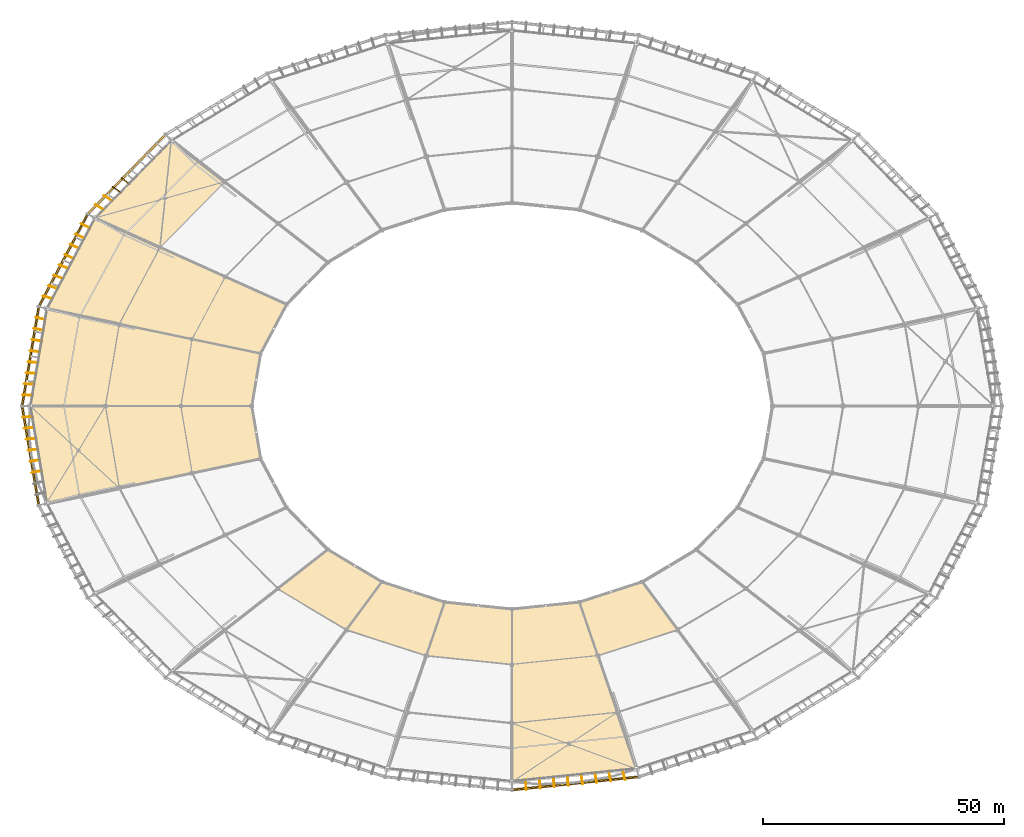
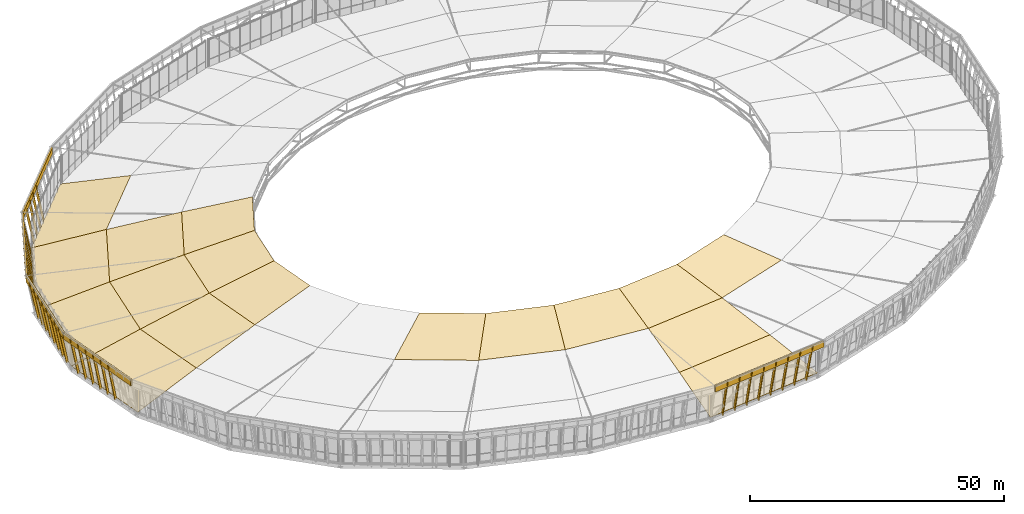
# One storey, part 112 of 115: 34 shading devices, 22 coverings, 4 elements without a shape of their own.
"""IFC4 building model written with IfcOpenShell, lengths in metres."""

from ifc_helpers import new_model, si_unit, direction, frame, origin, origin_2d, place, context, subcontext, project, spatial, polyline, rectangle, outline, extrude, material, layer, layer_set, material_profile, profile_set, type_object, element, aggregate, save


model = new_model("IFC4")

# Units and contexts
model_context = context("Model", 3, precision=1e-05, world=origin(), true_north=direction((0.0, 1.0)))
body_context = subcontext(model_context, "Body", "Model", "MODEL_VIEW")
ifc_project = project(units=[si_unit("LENGTHUNIT", "METRE"), si_unit("AREAUNIT", "SQUARE_METRE"), si_unit("VOLUMEUNIT", "CUBIC_METRE"), si_unit("PLANEANGLEUNIT", "RADIAN"), si_unit("MASSUNIT", "GRAM", prefix="KILO")], contexts=[model_context])

# Site, building, storey
site_placement = place(None, origin())
site = spatial("IfcSite", under=ifc_project, at=site_placement, CompositionType="ELEMENT")
building_placement = place(site_placement, origin())
building = spatial("IfcBuilding", under=site, at=building_placement, Name="Zlatoyarsky Gate Stadium", CompositionType="ELEMENT")
storey_placement = place(building_placement, frame((0.0, 0.0, 31.800048828125)))
storey = spatial("IfcBuildingStorey", under=building, at=storey_placement, Name="RF", CompositionType="ELEMENT", Elevation=31.800048828125)

# Coverings
ifc_material_1 = material(Name="Perforated stone-toned anodised aluminium fascia cladding", Category="masonry")
ifc_layer_1 = layer(ifc_material_1, 0.044921875)
ifc_layer_set_1 = layer_set([ifc_layer_1], Name="Perforated stone-toned anodised aluminium fascia cladding")
covering_type_1 = type_object("IfcCoveringType", Name="PERFORATED ANODISED CROWN FASCIA SCREEN 45", PredefinedType="CLADDING", material=ifc_layer_set_1)
covering_1_placement = place(storey_placement, frame((31.010009765625, 128.100341796875, 7.39990234375), z_axis=(0.0, 0.0, 1.0), x_axis=(-0.699762493402, -0.71437556847, 0.0)))
element("IfcCovering", 1, at=covering_1_placement, inside=storey, type_object=covering_type_1, Name="RF crown perforated eaves fascia cladding sector 09", PredefinedType="CLADDING", context=body_context, shape_type="SweptSolid", body=[
    extrude(rectangle(XDim=22.861572265625, YDim=0.360107421875, at=origin_2d()), origin(), (0.0, 0.0, 1.0), 1.449951171875),
])
covering_2_placement = place(storey_placement, frame((17.849609375, 110.2373046875, 7.39990234375), z_axis=(0.0, 0.0, 1.0), x_axis=(-0.46744793664, -0.884020603001, 0.0)))
element("IfcCovering", 2, at=covering_2_placement, inside=storey, type_object=covering_type_1, Name="RF crown perforated eaves fascia cladding sector 10", PredefinedType="CLADDING", context=body_context, shape_type="SweptSolid", body=[
    extrude(rectangle(XDim=21.502197265625, YDim=0.360107421875, at=origin_2d()), origin(), (0.0, 0.0, 1.0), 1.449951171875),
])
for number, where, z_axis, x_axis, name in (
    (3, (11.037109375, 90.313232421875, 7.39990234375), (0.0, 0.0, 1.0), (-0.165737957739, -0.986169827851, 0.0), "RF crown perforated eaves fascia cladding sector 11"),
    (4, (11.037109375, 69.686767578125, 7.39990234375), (0.0, 0.0, 1.0), (0.165737957739, -0.986169827851, 0.0), "RF crown perforated eaves fascia cladding sector 12"),
):
    element("IfcCovering", number, at=place(storey_placement, frame(where, z_axis=z_axis, x_axis=x_axis)), inside=storey, type_object=covering_type_1, Name=name, PredefinedType="CLADDING", context=body_context, shape_type="SweptSolid", body=[
        extrude(rectangle(XDim=20.677001953125, YDim=0.360107421875, at=origin_2d()), origin(), (0.0, 0.0, 1.0), 1.449951171875),
    ])
covering_3_placement = place(storey_placement, frame((124.160400390625, 1.662353515625, 7.39990234375), z_axis=(0.0, 0.0, 1.0), x_axis=(0.994724084553, 0.102586527428, 0.0)))
element("IfcCovering", 5, at=covering_3_placement, inside=storey, type_object=covering_type_1, Name="RF crown perforated eaves fascia cladding sector 18", PredefinedType="CLADDING", context=body_context, shape_type="SweptSolid", body=[
    extrude(rectangle(XDim=26.2216796875, YDim=0.360107421875, at=origin_2d()), origin(), (0.0, 0.0, 1.0), 1.449951171875),
])

# Shading devices
ifc_material_2 = material(Name="Precast concrete C40/50 stone-toned architectural rib", Category="masonry")
ifc_material_profile = material_profile(ifc_material_2, rectangle(XDim=0.179931640625, YDim=0.47998046875, at=origin_2d()), Name="RIB 180X480")
ifc_profile_set = profile_set([ifc_material_profile], Name="Precast concrete C40/50 stone-toned architectural rib")
shading_device_type = type_object("IfcShadingDeviceType", Name="PRECAST RIBBED BOWL LOUVRE FIN 180X480", PredefinedType="JALOUSIE", material=ifc_profile_set)
shading_device_1_placement = place(storey_placement, frame((31.438720703125, 126.196044921875, -0.35009765625), z_axis=(-0.155774503633, 0.115929496283, 0.980966184896), x_axis=(-0.597024968871, -0.802222653972, 0.0)))
element("IfcShadingDevice", 6, at=shading_device_1_placement, inside=storey, type_object=shading_device_type, Name="RF crown fluted louvre fin 09-5", PredefinedType="JALOUSIE", context=body_context, shape_type="SweptSolid", body=[
    extrude(rectangle(XDim=0.179931640625, YDim=0.47998046875, at=origin_2d()), origin(), (0.0, 0.0, 1.0), 9.276611328125),
])
shading_device_2_placement = place(storey_placement, frame((29.67236328125, 124.400390625, -0.35009765625), z_axis=(-0.159217123819, 0.111425669793, 0.980935384005), x_axis=(-0.573371454425, -0.819295535964, 0.0)))
element("IfcShadingDevice", 7, at=shading_device_2_placement, inside=storey, type_object=shading_device_type, Name="RF crown fluted louvre fin 09-6", PredefinedType="JALOUSIE", context=body_context, shape_type="SweptSolid", body=[
    extrude(rectangle(XDim=0.179931640625, YDim=0.47998046875, at=origin_2d()), origin(), (0.0, 0.0, 1.0), 9.27685546875),
])
shading_device_3_placement = place(storey_placement, frame((27.906005859375, 122.60498046875, -0.35009765625), z_axis=(-0.162654758763, 0.106892675958, 0.980875825616), x_axis=(-0.549196771849, -0.835693069129, 0.0)))
element("IfcShadingDevice", 8, at=shading_device_3_placement, inside=storey, type_object=shading_device_type, Name="RF crown fluted louvre fin 09-7", PredefinedType="JALOUSIE", context=body_context, shape_type="SweptSolid", body=[
    extrude(rectangle(XDim=0.179931640625, YDim=0.47998046875, at=origin_2d()), origin(), (0.0, 0.0, 1.0), 9.277587890625),
])
shading_device_4_placement = place(storey_placement, frame((26.139892578125, 120.809326171875, -0.35009765625), z_axis=(-0.166111293154, 0.102408546326, 0.980774962938), x_axis=(-0.524789382262, -0.851232109512, 0.0)))
element("IfcShadingDevice", 9, at=shading_device_4_placement, inside=storey, type_object=shading_device_type, Name="RF crown fluted louvre fin 09-8", PredefinedType="JALOUSIE", context=body_context, shape_type="SweptSolid", body=[
    extrude(rectangle(XDim=0.179931640625, YDim=0.47998046875, at=origin_2d()), origin(), (0.0, 0.0, 1.0), 9.278564453125),
])
shading_device_5_placement = place(storey_placement, frame((23.26318359375, 116.9228515625, -0.35009765625), z_axis=(-0.17171679421, 0.092647078212, 0.980780230982), x_axis=(-0.474831474978, -0.880076741183, 0.0)))
element("IfcShadingDevice", 10, at=shading_device_5_placement, inside=storey, type_object=shading_device_type, Name="RF crown fluted louvre fin 10-1", PredefinedType="JALOUSIE", context=body_context, shape_type="SweptSolid", body=[
    extrude(rectangle(XDim=0.179931640625, YDim=0.47998046875, at=origin_2d()), origin(), (0.0, 0.0, 1.0), 9.2783203125),
])
shading_device_6_placement = place(storey_placement, frame((22.153076171875, 114.831787109375, -0.35009765625), z_axis=(-0.173942618792, 0.087418665602, 0.980867953535), x_axis=(-0.44905102955, -0.89350611238, 0.0)))
element("IfcShadingDevice", 11, at=shading_device_6_placement, inside=storey, type_object=shading_device_type, Name="RF crown fluted louvre fin 10-2", PredefinedType="JALOUSIE", context=body_context, shape_type="SweptSolid", body=[
    extrude(rectangle(XDim=0.179931640625, YDim=0.47998046875, at=origin_2d()), origin(), (0.0, 0.0, 1.0), 9.277587890625),
])
shading_device_7_placement = place(storey_placement, frame((21.042724609375, 112.740966796875, -0.35009765625), z_axis=(-0.176112530755, 0.082161285268, 0.980935216879), x_axis=(-0.4227816734, -0.906231568992, 0.0)))
element("IfcShadingDevice", 12, at=shading_device_7_placement, inside=storey, type_object=shading_device_type, Name="RF crown fluted louvre fin 10-3", PredefinedType="JALOUSIE", context=body_context, shape_type="SweptSolid", body=[
    extrude(rectangle(XDim=0.179931640625, YDim=0.47998046875, at=origin_2d()), origin(), (0.0, 0.0, 1.0), 9.27685546875),
])
for number, where, z_axis, x_axis, name in (
    (13, (19.932373046875, 110.64990234375, -0.35009765625), (-0.17830209172, 0.076926496546, 0.980964157458), (-0.396142641461, -0.918188982517, 0.0), "RF crown fluted louvre fin 10-4"),
    (14, (18.822021484375, 108.558837890625, -0.35009765625), (-0.180460509711, 0.071689431013, 0.980966171647), (-0.369193060763, -0.929352723074, 0.0), "RF crown fluted louvre fin 10-5"),
):
    element("IfcShadingDevice", number, at=place(storey_placement, frame(where, z_axis=z_axis, x_axis=x_axis)), inside=storey, type_object=shading_device_type, Name=name, PredefinedType="JALOUSIE", context=body_context, shape_type="SweptSolid", body=[
        extrude(rectangle(XDim=0.179931640625, YDim=0.47998046875, at=origin_2d()), origin(), (0.0, 0.0, 1.0), 9.276611328125),
    ])
shading_device_8_placement = place(storey_placement, frame((17.711669921875, 106.468017578125, -0.35009765625), z_axis=(-0.182613396654, 0.066424011119, 0.980938427277), x_axis=(-0.34183005436, -0.939761785739, 0.0)))
element("IfcShadingDevice", 15, at=shading_device_8_placement, inside=storey, type_object=shading_device_type, Name="RF crown fluted louvre fin 10-6", PredefinedType="JALOUSIE", context=body_context, shape_type="SweptSolid", body=[
    extrude(rectangle(XDim=0.179931640625, YDim=0.47998046875, at=origin_2d()), origin(), (0.0, 0.0, 1.0), 9.27685546875),
])
shading_device_9_placement = place(storey_placement, frame((16.601318359375, 104.376953125, -0.35009765625), z_axis=(-0.184785302945, 0.061182829585, 0.980872597833), x_axis=(-0.314320923346, -0.949316784402, 0.0)))
element("IfcShadingDevice", 16, at=shading_device_9_placement, inside=storey, type_object=shading_device_type, Name="RF crown fluted louvre fin 10-7", PredefinedType="JALOUSIE", context=body_context, shape_type="SweptSolid", body=[
    extrude(rectangle(XDim=0.179931640625, YDim=0.47998046875, at=origin_2d()), origin(), (0.0, 0.0, 1.0), 9.277587890625),
])
for number, where, z_axis, x_axis, name in (
    (17, (15.4912109375, 102.285888671875, -0.35009765625), (-0.186950900828, 0.055940551043, 0.980775211467), (-0.286667433462, -0.958030157454, 0.0), "RF crown fluted louvre fin 10-8"),
    (18, (14.002197265625, 97.951171875, -0.35009765625), (-0.189871551575, 0.045047130861, 0.980774974142), (-0.23084267522, -0.972991089012, 0.0), "RF crown fluted louvre fin 11-1"),
):
    element("IfcShadingDevice", number, at=place(storey_placement, frame(where, z_axis=z_axis, x_axis=x_axis)), inside=storey, type_object=shading_device_type, Name=name, PredefinedType="JALOUSIE", context=body_context, shape_type="SweptSolid", body=[
        extrude(rectangle(XDim=0.179931640625, YDim=0.47998046875, at=origin_2d()), origin(), (0.0, 0.0, 1.0), 9.278564453125),
    ])
shading_device_10_placement = place(storey_placement, frame((13.623291015625, 95.707275390625, -0.35009765625), z_axis=(-0.190601558805, 0.039420286496, 0.980875673464), x_axis=(-0.202534070788, -0.979275216765, 0.0)))
element("IfcShadingDevice", 19, at=shading_device_10_placement, inside=storey, type_object=shading_device_type, Name="RF crown fluted louvre fin 11-2", PredefinedType="JALOUSIE", context=body_context, shape_type="SweptSolid", body=[
    extrude(rectangle(XDim=0.179931640625, YDim=0.47998046875, at=origin_2d()), origin(), (0.0, 0.0, 1.0), 9.277587890625),
])
shading_device_11_placement = place(storey_placement, frame((13.24462890625, 93.46337890625, -0.35009765625), z_axis=(-0.191376259423, 0.033790857687, 0.980934913879), x_axis=(-0.1738780361, -0.984767195109, 0.0)))
element("IfcShadingDevice", 20, at=shading_device_11_placement, inside=storey, type_object=shading_device_type, Name="RF crown fluted louvre fin 11-3", PredefinedType="JALOUSIE", context=body_context, shape_type="SweptSolid", body=[
    extrude(rectangle(XDim=0.179931640625, YDim=0.47998046875, at=origin_2d()), origin(), (0.0, 0.0, 1.0), 9.27685546875),
])
for number, where, z_axis, x_axis, name in (
    (21, (12.865966796875, 91.219482421875, -0.35009765625), (-0.192119501284, 0.028159981695, 0.980967437103), (-0.145025730923, -0.989427883865, 0.0), "RF crown fluted louvre fin 11-4"),
    (22, (12.4873046875, 88.9755859375, -0.35009765625), (-0.192856570316, 0.022528005484, 0.980968313584), (-0.116023334295, -0.993246487987, 0.0), "RF crown fluted louvre fin 11-5"),
):
    element("IfcShadingDevice", number, at=place(storey_placement, frame(where, z_axis=z_axis, x_axis=x_axis)), inside=storey, type_object=shading_device_type, Name=name, PredefinedType="JALOUSIE", context=body_context, shape_type="SweptSolid", body=[
        extrude(rectangle(XDim=0.179931640625, YDim=0.47998046875, at=origin_2d()), origin(), (0.0, 0.0, 1.0), 9.276611328125),
    ])
shading_device_12_placement = place(storey_placement, frame((12.1083984375, 86.731689453125, -0.35009765625), z_axis=(-0.193587395149, 0.016895474128, 0.980937543065), x_axis=(-0.086945188706, -0.996213096762, 0.0)))
element("IfcShadingDevice", 23, at=shading_device_12_placement, inside=storey, type_object=shading_device_type, Name="RF crown fluted louvre fin 11-6", PredefinedType="JALOUSIE", context=body_context, shape_type="SweptSolid", body=[
    extrude(rectangle(XDim=0.179931640625, YDim=0.47998046875, at=origin_2d()), origin(), (0.0, 0.0, 1.0), 9.27685546875),
])
shading_device_13_placement = place(storey_placement, frame((11.729736328125, 84.48779296875, -0.35009765625), z_axis=(-0.194311906235, 0.01126293281, 0.980875134479), x_axis=(-0.057866038024, -0.998324356932, 0.0)))
element("IfcShadingDevice", 24, at=shading_device_13_placement, inside=storey, type_object=shading_device_type, Name="RF crown fluted louvre fin 11-7", PredefinedType="JALOUSIE", context=body_context, shape_type="SweptSolid", body=[
    extrude(rectangle(XDim=0.179931640625, YDim=0.47998046875, at=origin_2d()), origin(), (0.0, 0.0, 1.0), 9.277587890625),
])
for number, where, z_axis, x_axis, name in (
    (25, (11.35107421875, 82.243896484375, -0.35009765625), (-0.195030035876, 0.005630926562, 0.980781105942), (-0.028860072953, -0.999583461342, 0.0), "RF crown fluted louvre fin 11-8"),
    (26, (11.35107421875, 77.756103515625, -0.35009765625), (-0.195030035876, -0.005630926562, 0.980781105942), (0.028860072953, -0.999583461342, 0.0), "RF crown fluted louvre fin 12-1"),
):
    element("IfcShadingDevice", number, at=place(storey_placement, frame(where, z_axis=z_axis, x_axis=x_axis)), inside=storey, type_object=shading_device_type, Name=name, PredefinedType="JALOUSIE", context=body_context, shape_type="SweptSolid", body=[
        extrude(rectangle(XDim=0.179931640625, YDim=0.47998046875, at=origin_2d()), origin(), (0.0, 0.0, 1.0), 9.2783203125),
    ])
shading_device_14_placement = place(storey_placement, frame((11.729736328125, 75.51220703125, -0.35009765625), z_axis=(-0.194311906235, -0.01126293281, 0.980875134479), x_axis=(0.057866038024, -0.998324356932, 0.0)))
element("IfcShadingDevice", 27, at=shading_device_14_placement, inside=storey, type_object=shading_device_type, Name="RF crown fluted louvre fin 12-2", PredefinedType="JALOUSIE", context=body_context, shape_type="SweptSolid", body=[
    extrude(rectangle(XDim=0.179931640625, YDim=0.47998046875, at=origin_2d()), origin(), (0.0, 0.0, 1.0), 9.277587890625),
])
shading_device_15_placement = place(storey_placement, frame((12.1083984375, 73.268310546875, -0.35009765625), z_axis=(-0.193587395149, -0.016895474128, 0.980937543065), x_axis=(0.086945188706, -0.996213096762, 0.0)))
element("IfcShadingDevice", 28, at=shading_device_15_placement, inside=storey, type_object=shading_device_type, Name="RF crown fluted louvre fin 12-3", PredefinedType="JALOUSIE", context=body_context, shape_type="SweptSolid", body=[
    extrude(rectangle(XDim=0.179931640625, YDim=0.47998046875, at=origin_2d()), origin(), (0.0, 0.0, 1.0), 9.27685546875),
])
for number, where, z_axis, x_axis, name in (
    (29, (12.4873046875, 71.0244140625, -0.35009765625), (-0.192856570316, -0.022528005484, 0.980968313584), (0.116023334295, -0.993246487987, 0.0), "RF crown fluted louvre fin 12-4"),
    (30, (12.865966796875, 68.780517578125, -0.35009765625), (-0.192119501284, -0.028159981695, 0.980967437103), (0.145025730923, -0.989427883865, 0.0), "RF crown fluted louvre fin 12-5"),
):
    element("IfcShadingDevice", number, at=place(storey_placement, frame(where, z_axis=z_axis, x_axis=x_axis)), inside=storey, type_object=shading_device_type, Name=name, PredefinedType="JALOUSIE", context=body_context, shape_type="SweptSolid", body=[
        extrude(rectangle(XDim=0.179931640625, YDim=0.47998046875, at=origin_2d()), origin(), (0.0, 0.0, 1.0), 9.276611328125),
    ])
shading_device_16_placement = place(storey_placement, frame((13.24462890625, 66.53662109375, -0.35009765625), z_axis=(-0.191376259423, -0.033790857687, 0.980934913879), x_axis=(0.1738780361, -0.984767195109, 0.0)))
element("IfcShadingDevice", 31, at=shading_device_16_placement, inside=storey, type_object=shading_device_type, Name="RF crown fluted louvre fin 12-6", PredefinedType="JALOUSIE", context=body_context, shape_type="SweptSolid", body=[
    extrude(rectangle(XDim=0.179931640625, YDim=0.47998046875, at=origin_2d()), origin(), (0.0, 0.0, 1.0), 9.27685546875),
])
shading_device_17_placement = place(storey_placement, frame((113.876708984375, 2.267822265625, -0.35009765625), z_axis=(0.005604585886, -0.195055376404, 0.980776217469), x_axis=(0.999587453985, 0.028721452543, 0.0)))
element("IfcShadingDevice", 32, at=shading_device_17_placement, inside=storey, type_object=shading_device_type, Name="RF crown fluted louvre fin 18-1", PredefinedType="JALOUSIE", context=body_context, shape_type="SweptSolid", body=[
    extrude(rectangle(XDim=0.179931640625, YDim=0.47998046875, at=origin_2d()), origin(), (0.0, 0.0, 1.0), 9.278564453125),
])
shading_device_18_placement = place(storey_placement, frame((116.753173828125, 2.563232421875, -0.35009765625), z_axis=(0.01126293281, -0.194311906235, 0.980875134479), x_axis=(0.998324356932, 0.057866038024, 0.0)))
element("IfcShadingDevice", 33, at=shading_device_18_placement, inside=storey, type_object=shading_device_type, Name="RF crown fluted louvre fin 18-2", PredefinedType="JALOUSIE", context=body_context, shape_type="SweptSolid", body=[
    extrude(rectangle(XDim=0.179931640625, YDim=0.47998046875, at=origin_2d()), origin(), (0.0, 0.0, 1.0), 9.277587890625),
])
shading_device_19_placement = place(storey_placement, frame((119.629638671875, 2.858642578125, -0.35009765625), z_axis=(0.016895474128, -0.193587395149, 0.980937543065), x_axis=(0.996213096762, 0.086945188706, 0.0)))
element("IfcShadingDevice", 34, at=shading_device_19_placement, inside=storey, type_object=shading_device_type, Name="RF crown fluted louvre fin 18-3", PredefinedType="JALOUSIE", context=body_context, shape_type="SweptSolid", body=[
    extrude(rectangle(XDim=0.179931640625, YDim=0.47998046875, at=origin_2d()), origin(), (0.0, 0.0, 1.0), 9.27685546875),
])
for number, where, z_axis, x_axis, name in (
    (35, (122.506103515625, 3.154052734375, -0.35009765625), (0.022528005484, -0.192856570316, 0.980968313584), (0.993246487987, 0.116023334295, 0.0), "RF crown fluted louvre fin 18-4"),
    (36, (125.3828125, 3.449462890625, -0.35009765625), (0.028159981695, -0.192119501284, 0.980967437103), (0.989427883865, 0.145025730923, 0.0), "RF crown fluted louvre fin 18-5"),
):
    element("IfcShadingDevice", number, at=place(storey_placement, frame(where, z_axis=z_axis, x_axis=x_axis)), inside=storey, type_object=shading_device_type, Name=name, PredefinedType="JALOUSIE", context=body_context, shape_type="SweptSolid", body=[
        extrude(rectangle(XDim=0.179931640625, YDim=0.47998046875, at=origin_2d()), origin(), (0.0, 0.0, 1.0), 9.276611328125),
    ])
shading_device_20_placement = place(storey_placement, frame((128.25927734375, 3.744873046875, -0.35009765625), z_axis=(0.033790857687, -0.191376259423, 0.980934913879), x_axis=(0.984767195109, 0.1738780361, 0.0)))
element("IfcShadingDevice", 37, at=shading_device_20_placement, inside=storey, type_object=shading_device_type, Name="RF crown fluted louvre fin 18-6", PredefinedType="JALOUSIE", context=body_context, shape_type="SweptSolid", body=[
    extrude(rectangle(XDim=0.179931640625, YDim=0.47998046875, at=origin_2d()), origin(), (0.0, 0.0, 1.0), 9.27685546875),
])
shading_device_21_placement = place(storey_placement, frame((131.135986328125, 4.040283203125, -0.35009765625), z_axis=(0.039420088762, -0.190626917886, 0.980870753351), x_axis=(0.979280761697, 0.202507258562, 0.0)))
element("IfcShadingDevice", 38, at=shading_device_21_placement, inside=storey, type_object=shading_device_type, Name="RF crown fluted louvre fin 18-7", PredefinedType="JALOUSIE", context=body_context, shape_type="SweptSolid", body=[
    extrude(rectangle(XDim=0.179931640625, YDim=0.47998046875, at=origin_2d()), origin(), (0.0, 0.0, 1.0), 9.277587890625),
])
shading_device_22_placement = place(storey_placement, frame((134.012451171875, 4.335693359375, -0.35009765625), z_axis=(0.045047355903, -0.189846187409, 0.980779873801), x_axis=(0.972983902304, 0.23087296476, 0.0)))
element("IfcShadingDevice", 39, at=shading_device_22_placement, inside=storey, type_object=shading_device_type, Name="RF crown fluted louvre fin 18-8", PredefinedType="JALOUSIE", context=body_context, shape_type="SweptSolid", body=[
    extrude(rectangle(XDim=0.179931640625, YDim=0.47998046875, at=origin_2d()), origin(), (0.0, 0.0, 1.0), 9.2783203125),
])

# Roof, coverings
ifc_material_3 = material(Name="Standing-seam aluminium-zinc roofing with mineral wool insulation", Category="aluminium")
ifc_layer_2 = layer(ifc_material_3, 0.080078125)
ifc_layer_set_2 = layer_set([ifc_layer_2], Name="Standing-seam aluminium-zinc roofing with mineral wool insulation")
roof_type = type_object("IfcRoofType", Name="STADIUM BARREL VAULT ROOF ASSEMBLY", PredefinedType="BARREL_ROOF", material=ifc_layer_set_2)
roof_1_placement = place(storey_placement, origin())
roof_1 = element("IfcRoof", 40, at=roof_1_placement, inside=storey, type_object=roof_type, Name="Stadium barrel arch roof sector 4", PredefinedType="BARREL_ROOF")
ifc_layer_3 = layer(ifc_material_3, 0.06005859375)
ifc_layer_set_3 = layer_set([ifc_layer_3], Name="Standing-seam aluminium-zinc roofing with mineral wool insulation")
covering_type_2 = type_object("IfcCoveringType", Name="STANDING SEAM ALUMINIUM ZINC ROOFING 60", PredefinedType="ROOFING", material=ifc_layer_set_3)
covering_4_placement = place(storey_placement, frame((40.269775390625, 135.173828125, 0.260009765625), z_axis=(-0.168948625829, 0.166192117478, 0.971512502194), x_axis=(-0.701266900285, -0.712898824915, 8.8643e-08)))
covering_4 = element("IfcCovering", 41, at=covering_4_placement, type_object=covering_type_2, Name="Stadium standing seam roofing sector 09 bay 1", PredefinedType="ROOFING", context=body_context, shape_type="SweptSolid", body=[
    extrude(outline(polyline([(0.0, 0.0), (22.667889468842993, 0.0), (17.5168582679546, 14.346280713684152), (-1.6058824017872195, 14.346296345083728), (0.0, 0.0)])), origin(), (0.0, 0.0, -1.0), 0.06005859375),
])
covering_5_placement = place(storey_placement, frame((24.37353515625, 119.013916015625, 0.260009765625), z_axis=(-0.197393520935, 0.104815476231, 0.974704834212), x_axis=(-0.468978328534, -0.8832096735, 7.78726e-07)))
covering_5 = element("IfcCovering", 42, at=covering_5_placement, type_object=covering_type_2, Name="Stadium standing seam roofing sector 10 bay 1", PredefinedType="ROOFING", context=body_context, shape_type="SweptSolid", body=[
    extrude(outline(polyline([(0.0, 0.0), (21.30733667960491, 3.552713678800501e-15), (17.010139596106686, 15.212300335087066), (-0.9647004759132345, 15.21243720578129), (0.0, 0.0)])), origin(), (0.0, 0.0, -1.0), 0.06005859375),
])
covering_6_placement = place(storey_placement, frame((37.921875, 112.912109375, 3.659912109375), z_axis=(-0.183541042483, 0.097459660481, 0.97816885061), x_axis=(-0.46898487922, -0.883206195099, -1.019999e-06)))
covering_6 = element("IfcCovering", 43, at=covering_6_placement, type_object=covering_type_2, Name="Stadium standing seam roofing sector 10 bay 2", PredefinedType="ROOFING", context=body_context, shape_type="SweptSolid", body=[
    extrude(outline(polyline([(0.0, 0.0), (17.97484007253932, 0.0), (13.67762828224083, 15.158725632562989), (-0.9648163121027542, 15.15856553760574), (0.0, 0.0)])), origin(), (0.0, 0.0, -1.0), 0.06005859375),
])
covering_7_placement = place(storey_placement, frame((51.47021484375, 106.810302734375, 6.81005859375), z_axis=(-0.164762027399, 0.087486990583, 0.982445673208), x_axis=(-0.468975230927, -0.883211318302, 1.93843e-07)))
covering_7 = element("IfcCovering", 44, at=covering_7_placement, type_object=covering_type_2, Name="Stadium standing seam roofing sector 10 bay 3", PredefinedType="ROOFING", context=body_context, shape_type="SweptSolid", body=[
    extrude(outline(polyline([(0.0, 0.0), (14.642444595230506, 1.7763568394002505e-15), (10.597969750987318, 14.204854700251184), (-0.9079087809841343, 14.204881870937056), (0.0, 0.0)])), origin(), (0.0, 0.0, -1.0), 0.06005859375),
])
covering_8_placement = place(storey_placement, frame((14.380859375, 100.195068359375, 0.260009765625), z_axis=(-0.212232882997, 0.035819109006, 0.97656243774), x_axis=(-0.166422396487, -0.986054555259, -7.26426e-07)))
covering_8 = element("IfcCovering", 45, at=covering_8_placement, type_object=covering_type_2, Name="Stadium standing seam roofing sector 11 bay 1", PredefinedType="ROOFING", context=body_context, shape_type="SweptSolid", body=[
    extrude(outline(polyline([(0.0, 0.0), (20.480681111773205, 4.440892098500626e-16), (17.877118889923207, 15.796345110952627), (0.5995760338416769, 15.796217675096022), (0.0, 0.0)])), origin(), (0.0, 0.0, -1.0), 0.06005859375),
])
covering_9_placement = place(storey_placement, frame((29.491943359375, 97.03662109375, 3.659912109375), z_axis=(-0.197288387171, 0.033296875225, 0.979779878538), x_axis=(-0.166415266345, -0.98605575863, 7.92078e-07)))
covering_9 = element("IfcCovering", 46, at=covering_9_placement, type_object=covering_type_2, Name="Stadium standing seam roofing sector 11 bay 2", PredefinedType="ROOFING", context=body_context, shape_type="SweptSolid", body=[
    extrude(outline(polyline([(0.0, 0.0), (17.27754285655257, -4.440892098500626e-16), (14.674097145623177, 15.744497847299712), (0.5998926512731327, 15.744621963740737), (0.0, 0.0)])), origin(), (0.0, 0.0, -1.0), 0.06005859375),
])
covering_10_placement = place(storey_placement, frame((44.603271484375, 93.8779296875, 6.81005859375), z_axis=(-0.177045392064, 0.029881380548, 0.983748968104), x_axis=(-0.166423993428, -0.986054285732, 6.3215e-08)))
covering_10 = element("IfcCovering", 47, at=covering_10_placement, type_object=covering_type_2, Name="Stadium standing seam roofing sector 11 bay 3", PredefinedType="ROOFING", context=body_context, shape_type="SweptSolid", body=[
    extrude(outline(polyline([(0.0, 0.0), (14.074204494904219, 0.0), (11.623757630272953, 14.758625768629122), (0.5642499834091927, 14.758634617646527), (0.0, 0.0)])), origin(), (0.0, 0.0, -1.0), 0.06005859375),
])
aggregate(roof_1, [covering_4, covering_5, covering_6, covering_7, covering_8, covering_9, covering_10])

roof_2_placement = place(storey_placement, origin())
roof_2 = element("IfcRoof", 48, at=roof_2_placement, inside=storey, type_object=roof_type, Name="Stadium barrel arch roof sector 5", PredefinedType="BARREL_ROOF")
covering_11_placement = place(storey_placement, frame((10.972412109375, 80.0, 0.260009765625), z_axis=(-0.212232882997, -0.035819109006, 0.97656243774), x_axis=(0.166422396487, -0.986054555259, 7.26426e-07)))
covering_11 = element("IfcCovering", 49, at=covering_11_placement, type_object=covering_type_2, Name="Stadium standing seam roofing sector 12 bay 1", PredefinedType="ROOFING", context=body_context, shape_type="SweptSolid", body=[
    extrude(outline(polyline([(0.0, 0.0), (20.480681111773205, -4.440892098500626e-16), (19.88110507793153, 15.796217675096024), (2.6035622218499994, 15.796345110952627), (0.0, 0.0)])), origin(), (0.0, 0.0, -1.0), 0.06005859375),
])
covering_12_placement = place(storey_placement, frame((26.61669921875, 80.0, 3.659912109375), z_axis=(-0.197288387171, -0.033296875225, 0.979779878538), x_axis=(0.166415266345, -0.98605575863, -7.92078e-07)))
covering_12 = element("IfcCovering", 50, at=covering_12_placement, type_object=covering_type_2, Name="Stadium standing seam roofing sector 12 bay 2", PredefinedType="ROOFING", context=body_context, shape_type="SweptSolid", body=[
    extrude(outline(polyline([(0.0, 0.0), (17.27754285655257, 4.440892098500626e-16), (16.677650205279438, 15.74462196374074), (2.603445710929395, 15.744497847299712), (0.0, 0.0)])), origin(), (0.0, 0.0, -1.0), 0.06005859375),
])
covering_13_placement = place(storey_placement, frame((42.260986328125, 80.0, 6.81005859375), z_axis=(-0.177045392064, -0.029881380548, 0.983748968104), x_axis=(0.166423993428, -0.986054285732, -6.3215e-08)))
covering_13 = element("IfcCovering", 51, at=covering_13_placement, type_object=covering_type_2, Name="Stadium standing seam roofing sector 12 bay 3", PredefinedType="ROOFING", context=body_context, shape_type="SweptSolid", body=[
    extrude(outline(polyline([(0.0, 0.0), (14.074204494904219, 0.0), (13.509954511495028, 14.758634617646527), (2.4504468646312674, 14.758625768629122), (0.0, 0.0)])), origin(), (0.0, 0.0, -1.0), 0.06005859375),
])
aggregate(roof_2, [covering_11, covering_12, covering_13])

roof_3_placement = place(storey_placement, origin())
roof_3 = element("IfcRoof", 52, at=roof_3_placement, inside=storey, type_object=roof_type, Name="Stadium barrel arch roof sector 6", PredefinedType="BARREL_ROOF")
covering_14_placement = place(storey_placement, frame((62.394287109375, 42.08447265625, 6.81005859375), z_axis=(-0.108033387963, -0.180488381017, 0.977626069314), x_axis=(0.858038956174, -0.51358460811, 8.19339e-07)))
covering_14 = element("IfcCovering", 53, at=covering_14_placement, type_object=covering_type_2, Name="Stadium standing seam roofing sector 15 bay 3", PredefinedType="ROOFING", context=body_context, shape_type="SweptSolid", body=[
    extrude(outline(polyline([(0.0, 0.0), (16.59170195050538, 1.7763568394002505e-15), (17.799917642388266, 12.597496481387736), (4.762249659606838, 12.597611891195024), (0.0, 0.0)])), origin(), (0.0, 0.0, -1.0), 0.06005859375),
])
covering_15_placement = place(storey_placement, frame((76.630615234375, 33.563232421875, 6.81005859375), z_axis=(-0.067758031107, -0.209707146145, 0.975413636401), x_axis=(0.951560523066, -0.307461495055, -1.030491e-06)))
covering_15 = element("IfcCovering", 54, at=covering_15_placement, type_object=covering_type_2, Name="Stadium standing seam roofing sector 16 bay 3", PredefinedType="ROOFING", context=body_context, shape_type="SweptSolid", body=[
    extrude(outline(polyline([(0.0, 0.0), (17.42229735883615, 0.0), (17.637674146388235, 12.024213374428413), (3.9469601064556965, 12.024067892131605), (0.0, 0.0)])), origin(), (0.0, 0.0, -1.0), 0.06005859375),
])
covering_16_placement = place(storey_placement, frame((93.208984375, 28.20654296875, 6.81005859375), z_axis=(-0.023082163871, -0.224749293914, 0.974143197172), x_axis=(0.994767639203, -0.102163320197, 2.62367e-07)))
covering_16 = element("IfcCovering", 55, at=covering_16_placement, type_object=covering_type_2, Name="Stadium standing seam roofing sector 17 bay 3", PredefinedType="ROOFING", context=body_context, shape_type="SweptSolid", body=[
    extrude(outline(polyline([(0.0, 0.0), (17.884594163179372, -2.220446049250313e-16), (16.711188266952558, 11.728768464324467), (2.657670922679552, 11.728805553058613), (0.0, 0.0)])), origin(), (0.0, 0.0, -1.0), 0.06005859375),
])
aggregate(roof_3, [covering_14, covering_15, covering_16])

roof_4_placement = place(storey_placement, origin())
roof_4 = element("IfcRoof", 56, at=roof_4_placement, inside=storey, type_object=roof_type, Name="Stadium barrel arch roof sector 7", PredefinedType="BARREL_ROOF")
covering_17_placement = place(storey_placement, frame((111.0, 1.972412109375, 0.260009765625), z_axis=(0.027549713933, -0.26827762125, 0.962947626405), x_axis=(0.994768228243, 0.102157584529, 1.052656e-06)))
covering_17 = element("IfcCovering", 57, at=covering_17_placement, type_object=covering_type_2, Name="Stadium standing seam roofing sector 18 bay 1", PredefinedType="ROOFING", context=body_context, shape_type="SweptSolid", body=[
    extrude(outline(polyline([(0.0, 0.0), (26.02531947140747, 4.440892098500626e-16), (23.201627110592522, 12.606686405062462), (1.2466952342657893, 12.606873682931376), (0.0, 0.0)])), origin(), (0.0, 0.0, -1.0), 0.06005859375),
])
covering_18_placement = place(storey_placement, frame((111.0, 14.176025390625, 3.659912109375), z_axis=(0.025658712336, -0.249859215045, 0.967942148653), x_axis=(0.994769061755, 0.102149467801, -1.557277e-06)))
covering_18 = element("IfcCovering", 58, at=covering_18_placement, type_object=covering_type_2, Name="Stadium standing seam roofing sector 18 bay 2", PredefinedType="ROOFING", context=body_context, shape_type="SweptSolid", body=[
    extrude(outline(polyline([(0.0, 0.0), (21.954931877115506, 0.0), (19.13115691887676, 12.541846686090654), (1.2465627574373217, 12.541599680499349), (0.0, 0.0)])), origin(), (0.0, 0.0, -1.0), 0.06005859375),
])
covering_19_placement = place(storey_placement, frame((111.0, 26.37939453125, 6.81005859375), z_axis=(0.023082163871, -0.224749293914, 0.974143197172), x_axis=(0.994767639203, 0.102163320197, -2.62367e-07)))
covering_19 = element("IfcCovering", 59, at=covering_19_placement, type_object=covering_type_2, Name="Stadium standing seam roofing sector 18 bay 3", PredefinedType="ROOFING", context=body_context, shape_type="SweptSolid", body=[
    extrude(outline(polyline([(0.0, 0.0), (17.884594163179372, 2.220446049250313e-16), (15.22692324049982, 11.728805553058613), (1.1734058962268152, 11.728768464324467), (0.0, 0.0)])), origin(), (0.0, 0.0, -1.0), 0.06005859375),
])
covering_20_placement = place(storey_placement, frame((128.791015625, 28.20654296875, 6.81005859375), z_axis=(0.067758031107, -0.209707146145, 0.975413636401), x_axis=(0.951560523066, 0.307461495055, 1.030491e-06)))
covering_20 = element("IfcCovering", 60, at=covering_20_placement, type_object=covering_type_2, Name="Stadium standing seam roofing sector 19 bay 3", PredefinedType="ROOFING", context=body_context, shape_type="SweptSolid", body=[
    extrude(outline(polyline([(0.0, 0.0), (17.42229735883615, 0.0), (13.475337252380454, 12.024067892131606), (-0.21537678755208206, 12.024213374428413), (0.0, 0.0)])), origin(), (0.0, 0.0, -1.0), 0.06005859375),
])
aggregate(roof_4, [covering_17, covering_18, covering_19, covering_20])

save(model, "model.ifc")
